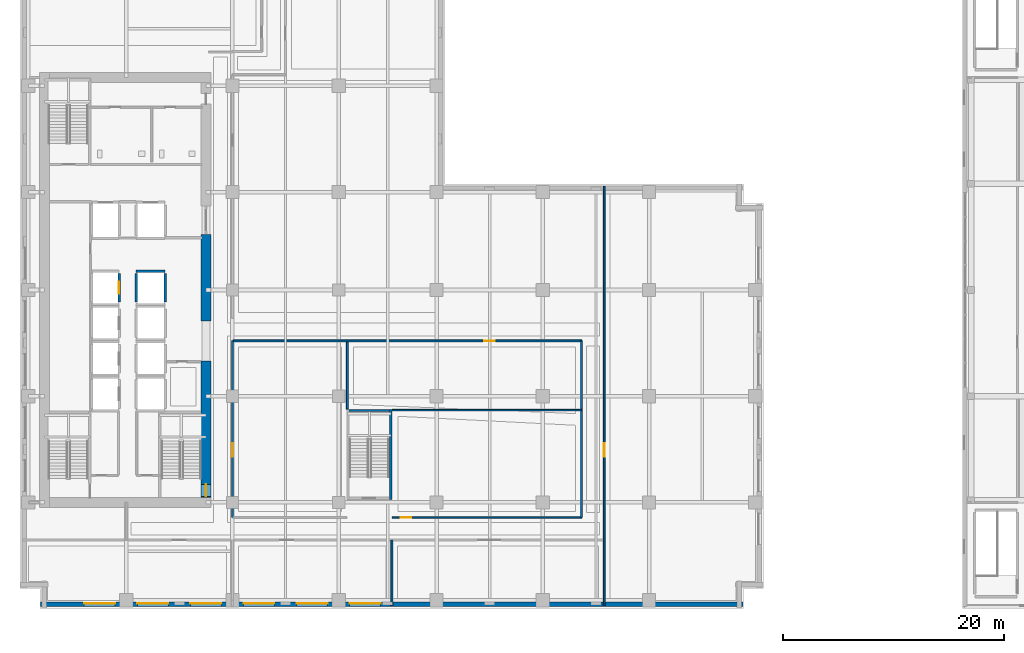
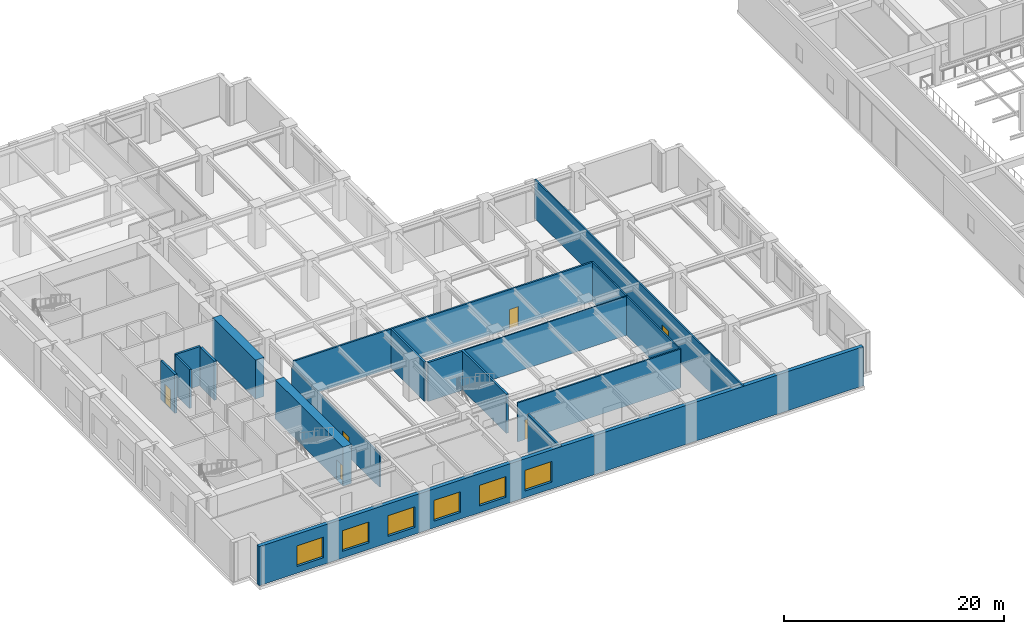
# One storey, part 6 of 21: 17 walls, 6 doors, 6 windows, 12 openings.
"""IFC4 building model written with IfcOpenShell, lengths in metres."""

from ifc_helpers import new_model, si_unit, direction, frame, frame_2d, origin, place, context, subcontext, project, spatial, rectangle, extrude, material, layer, layer_set, type_object, element, fill, save


model = new_model("IFC4")

# Units and contexts
model_context = context("Model", 3, precision=1e-05, world=origin(), true_north=direction((0.0, 1.0)))
body_context = subcontext(model_context, "Body", "Model", "MODEL_VIEW")
ifc_project = project(units=[si_unit("LENGTHUNIT", "METRE"), si_unit("AREAUNIT", "SQUARE_METRE"), si_unit("VOLUMEUNIT", "CUBIC_METRE"), si_unit("PLANEANGLEUNIT", "RADIAN"), si_unit("MASSUNIT", "GRAM", prefix="KILO")], contexts=[model_context])

# Site, building, storey
site_placement = place(None, origin())
site = spatial("IfcSite", under=ifc_project, at=site_placement, CompositionType="ELEMENT")
building_placement = place(site_placement, origin())
building = spatial("IfcBuilding", under=site, at=building_placement, Name="Norrvale University Quadrangle", CompositionType="ELEMENT")
storey_placement = place(building_placement, frame((0.0, 0.0, 19.60009765625)))
storey = spatial("IfcBuildingStorey", under=building, at=storey_placement, Name="L04", CompositionType="ELEMENT", Elevation=19.60009765625)

# Wall, opening, door
ifc_material_1 = material(Name="Concrete C80/95", Category="concrete")
ifc_layer_1 = layer(ifc_material_1, 0.89990234375, Name="Concrete C80/95")
ifc_layer_set_1 = layer_set([ifc_layer_1], Name="Concrete C80/95")
wall_type_1 = type_object("IfcWallType", Name="Wall Core 900", PredefinedType="SHEAR", material=ifc_layer_set_1)
wall_1_placement = place(storey_placement, frame((16.800048828125, 10.050048828125, 0.0), z_axis=(0.0, 0.0, 1.0), x_axis=(0.0, 1.0, 0.0)))
wall_1 = element("IfcWall", 1, at=wall_1_placement, inside=storey, type_object=wall_type_1, Name="Tower Core Shear Wall L04-E1", PredefinedType="SHEAR", context=body_context, shape_type="SweptSolid", body=[
    extrude(rectangle(XDim=12.349853515625, YDim=0.89990234375, at=frame_2d((6.1748046875, 0.0))), origin(), (0.0, 0.0, 1.0), 4.33984375),
])
opening_1_placement = place(wall_1_placement, frame((0.090087890625, 0.0, 0.0)))
opening_1 = element("IfcOpeningElement", 2, at=opening_1_placement, cuts=wall_1, Name="Opening D02", PredefinedType="OPENING", context=body_context, shape_type="SweptSolid", body=[
    extrude(rectangle(XDim=1.10009765625, YDim=2.199951171875, at=frame_2d((0.550048828125, 1.10009765625))), frame((0.0, 0.4619140625, 0.0), z_axis=(0.0, -1.0, 0.0), x_axis=(1.0, 0.0, 0.0)), (0.0, 0.0, 1.0), 0.923828125),
])
ifc_material_2 = material(Name="Hollow Steel 350W Fire Door", Category="steel")
door_type_1 = type_object("IfcDoorType", Name="Door Stair Exit 1100x2200", OperationType="NOTDEFINED", PredefinedType="DOOR", material=ifc_material_2)
door_1_placement = place(opening_1_placement, origin())
door_1 = element("IfcDoor", 3, at=door_1_placement, inside=storey, type_object=door_type_1, Name="Door Stair Exit 1100x2200 DR-L04-ST03", OperationType="SINGLE_SWING_LEFT", OverallHeight=2.199951171875, OverallWidth=1.10009765625, PredefinedType="DOOR", context=body_context, shape_type="SweptSolid", body=[
    extrude(rectangle(XDim=1.10009765625, YDim=2.199951171875, at=frame_2d((0.550048828125, 1.10009765625))), frame((0.0, 0.02490234375, 0.0), z_axis=(0.0, -1.0, 0.0), x_axis=(1.0, 0.0, 0.0)), (0.0, 0.0, 1.0), 0.050048828125),
])
fill(opening_1, door_1)

# Walls
wall_2_placement = place(storey_placement, frame((16.800048828125, 26.0, 0.0), z_axis=(0.0, 0.0, 1.0), x_axis=(0.0, 1.0, 0.0)))
element("IfcWall", 4, at=wall_2_placement, inside=storey, type_object=wall_type_1, Name="Tower Core Shear Wall L04-E2", PredefinedType="SHEAR", context=body_context, shape_type="SweptSolid", body=[
    extrude(rectangle(XDim=7.800048828125, YDim=0.89990234375, at=frame_2d((3.89990234375, 0.0))), origin(), (0.0, 0.0, 1.0), 4.33984375),
])
ifc_material_3 = material(Name="Standard Academic Gypsum Partition")
ifc_layer_2 = layer(ifc_material_3, 0.125, Name="Standard Academic Gypsum Partition")
ifc_layer_set_2 = layer_set([ifc_layer_2], Name="Standard Academic Gypsum Partition")
wall_type_2 = type_object("IfcWallType", Name="Wall Gypsum Academic 125", PredefinedType="PARTITIONING", material=ifc_layer_set_2)
wall_3_placement = place(storey_placement, frame((33.6201171875, 17.93994140625, 0.0), z_axis=(0.0, 0.0, 1.0), x_axis=(1.0, 0.0, 0.0)))
element("IfcWall", 5, at=wall_3_placement, inside=storey, type_object=wall_type_2, Name="Interior Partition WL-L04-ISLH", PredefinedType="PARTITIONING", context=body_context, shape_type="SweptSolid", body=[
    extrude(rectangle(XDim=17.1298828125, YDim=0.125, at=frame_2d((8.56494140625, 0.0))), origin(), (0.0, 0.0, 1.0), 4.33984375),
])

# Wall, opening, door
ifc_material_4 = material(Name="Fire-Rated Gypsum Stud Partition")
ifc_layer_3 = layer(ifc_material_4, 0.14990234375, Name="Fire-Rated Gypsum Stud Partition")
ifc_layer_set_3 = layer_set([ifc_layer_3], Name="Fire-Rated Gypsum Stud Partition")
wall_type_3 = type_object("IfcWallType", Name="Wall Gypsum Corridor 150", PredefinedType="PARTITIONING", material=ifc_layer_set_3)
wall_4_placement = place(storey_placement, frame((52.800048828125, 0.219970703125, 0.0), z_axis=(0.0, 0.0, 1.0), x_axis=(0.0, 1.0, 0.0)))
wall_4 = element("IfcWall", 6, at=wall_4_placement, inside=storey, type_object=wall_type_3, Name="Interior Partition WL-L04-ECW", PredefinedType="PARTITIONING", context=body_context, shape_type="SweptSolid", body=[
    extrude(rectangle(XDim=37.9599609375, YDim=0.14990234375, at=frame_2d((18.97998046875, 0.0))), origin(), (0.0, 0.0, 1.0), 4.33984375),
])
opening_2_placement = place(wall_4_placement, frame((13.530029296875, 0.0, 0.0)))
opening_2 = element("IfcOpeningElement", 7, at=opening_2_placement, cuts=wall_4, Name="Opening D05", PredefinedType="OPENING", context=body_context, shape_type="SweptSolid", body=[
    extrude(rectangle(XDim=1.199951171875, YDim=2.199951171875, at=frame_2d((0.60009765625, 1.10009765625))), frame((0.0, 0.0869140625, 0.0), z_axis=(0.0, -1.0, 0.0), x_axis=(1.0, 0.0, 0.0)), (0.0, 0.0, 1.0), 0.173828125),
])
ifc_material_5 = material(Name="Acoustic Oak Classroom Door", Category="wood")
door_type_2 = type_object("IfcDoorType", Name="Door Classroom 1200x2200", OperationType="NOTDEFINED", PredefinedType="DOOR", material=ifc_material_5)
door_2_placement = place(opening_2_placement, origin())
door_2 = element("IfcDoor", 8, at=door_2_placement, inside=storey, type_object=door_type_2, Name="Door Classroom 1200x2200 DR-L04-E01", OperationType="SINGLE_SWING_RIGHT", OverallHeight=2.199951171875, OverallWidth=1.199951171875, PredefinedType="DOOR", context=body_context, shape_type="SweptSolid", body=[
    extrude(rectangle(XDim=1.199951171875, YDim=2.199951171875, at=frame_2d((0.60009765625, 1.10009765625))), frame((0.0, 0.02490234375, 0.0), z_axis=(0.0, -1.0, 0.0), x_axis=(1.0, 0.0, 0.0)), (0.0, 0.0, 1.0), 0.050048828125),
])
fill(opening_2, door_2)

wall_5_placement = place(storey_placement, frame((19.199951171875, 8.25, 0.0), z_axis=(0.0, 0.0, 1.0), x_axis=(0.0, 1.0, 0.0)))
wall_5 = element("IfcWall", 9, at=wall_5_placement, inside=storey, type_object=wall_type_3, Name="Interior Partition WL-L04-ISLW", PredefinedType="PARTITIONING", context=body_context, shape_type="SweptSolid", body=[
    extrude(rectangle(XDim=15.949951171875, YDim=0.14990234375, at=frame_2d((7.97509765625, 0.0))), origin(), (0.0, 0.0, 1.0), 3.723876953125),
])
opening_3_placement = place(wall_5_placement, frame((5.5, 0.0, 0.0)))
opening_3 = element("IfcOpeningElement", 10, at=opening_3_placement, cuts=wall_5, Name="Opening D05", PredefinedType="OPENING", context=body_context, shape_type="SweptSolid", body=[
    extrude(rectangle(XDim=1.199951171875, YDim=2.199951171875, at=frame_2d((0.60009765625, 1.10009765625))), frame((0.0, 0.0869140625, 0.0), z_axis=(0.0, -1.0, 0.0), x_axis=(1.0, 0.0, 0.0)), (0.0, 0.0, 1.0), 0.173828125),
])
door_3_placement = place(opening_3_placement, origin())
door_3 = element("IfcDoor", 11, at=door_3_placement, inside=storey, type_object=door_type_2, Name="Door Classroom 1200x2200 DR-L04-IW1", OperationType="SINGLE_SWING_LEFT", OverallHeight=2.199951171875, OverallWidth=1.199951171875, PredefinedType="DOOR", context=body_context, shape_type="SweptSolid", body=[
    extrude(rectangle(XDim=1.199951171875, YDim=2.199951171875, at=frame_2d((0.60009765625, 1.10009765625))), frame((0.0, 0.02490234375, 0.0), z_axis=(0.0, -1.0, 0.0), x_axis=(1.0, 0.0, 0.0)), (0.0, 0.0, 1.0), 0.050048828125),
])
fill(opening_3, door_3)

wall_6_placement = place(storey_placement, frame((33.6201171875, 8.25, 0.0), z_axis=(0.0, 0.0, 1.0), x_axis=(1.0, 0.0, 0.0)))
wall_6 = element("IfcWall", 12, at=wall_6_placement, inside=storey, type_object=wall_type_3, Name="Interior Partition WL-L04-ISLS2", PredefinedType="PARTITIONING", context=body_context, shape_type="SweptSolid", body=[
    extrude(rectangle(XDim=17.1298828125, YDim=0.14990234375, at=frame_2d((8.56494140625, 0.0))), origin(), (0.0, 0.0, 1.0), 4.33984375),
])
opening_4_placement = place(wall_6_placement, frame((0.800048828125, 0.0, 0.0)))
opening_4 = element("IfcOpeningElement", 13, at=opening_4_placement, cuts=wall_6, Name="Opening D07", PredefinedType="OPENING", context=body_context, shape_type="SweptSolid", body=[
    extrude(rectangle(XDim=0.949951171875, YDim=2.14990234375, at=frame_2d((0.47509765625, 1.074951171875))), frame((0.0, 0.0869140625, 0.0), z_axis=(0.0, -1.0, 0.0), x_axis=(1.0, 0.0, 0.0)), (0.0, 0.0, 1.0), 0.173828125),
])
ifc_material_6 = material(Name="Solid-Core Maple Door", Category="wood")
door_type_3 = type_object("IfcDoorType", Name="Door Office 950x2150", OperationType="NOTDEFINED", PredefinedType="DOOR", material=ifc_material_6)
door_4_placement = place(opening_4_placement, origin())
door_4 = element("IfcDoor", 14, at=door_4_placement, inside=storey, type_object=door_type_3, Name="Door Office 950x2150 DR-L04-ISE", OperationType="SINGLE_SWING_LEFT", OverallHeight=2.14990234375, OverallWidth=0.949951171875, PredefinedType="DOOR", context=body_context, shape_type="SweptSolid", body=[
    extrude(rectangle(XDim=0.949951171875, YDim=2.14990234375, at=frame_2d((0.47509765625, 1.074951171875))), frame((0.0, 0.02490234375, 0.0), z_axis=(0.0, -1.0, 0.0), x_axis=(1.0, 0.0, 0.0)), (0.0, 0.0, 1.0), 0.050048828125),
])
fill(opening_4, door_4)

# Walls
wall_7_placement = place(storey_placement, frame((50.75, 8.25, 0.0), z_axis=(0.0, 0.0, 1.0), x_axis=(0.0, 1.0, 0.0)))
element("IfcWall", 15, at=wall_7_placement, inside=storey, type_object=wall_type_3, Name="Interior Partition WL-L04-ISLE", PredefinedType="PARTITIONING", context=body_context, shape_type="SweptSolid", body=[
    extrude(rectangle(XDim=15.949951171875, YDim=0.14990234375, at=frame_2d((7.97509765625, 0.0))), origin(), (0.0, 0.0, 1.0), 4.33984375),
])
ifc_material_7 = material(Name="Acoustic Double-Stud Gypsum Partition")
ifc_layer_4 = layer(ifc_material_7, 0.179931640625, Name="Acoustic Double-Stud Gypsum Partition")
ifc_layer_set_4 = layer_set([ifc_layer_4], Name="Acoustic Double-Stud Gypsum Partition")
wall_type_4 = type_object("IfcWallType", Name="Wall Gypsum Lecture 180", PredefinedType="PARTITIONING", material=ifc_layer_set_4)
wall_8_placement = place(storey_placement, frame((33.60009765625, 0.219970703125, 0.0), z_axis=(0.0, 0.0, 1.0), x_axis=(0.0, 1.0, 0.0)))
element("IfcWall", 16, at=wall_8_placement, inside=storey, type_object=wall_type_4, Name="Interior Partition WL-L04-SP02", PredefinedType="PARTITIONING", context=body_context, shape_type="SweptSolid", body=[
    extrude(rectangle(XDim=5.97998046875, YDim=0.179931640625, at=frame_2d((2.989990234375, 0.0))), origin(), (0.0, 0.0, 1.0), 4.33984375),
])
wall_9_placement = place(storey_placement, frame((29.580078125, 18.02490234375, 0.0), z_axis=(0.0, 0.0, 1.0), x_axis=(0.0, 1.0, 0.0)))
element("IfcWall", 17, at=wall_9_placement, inside=storey, type_object=wall_type_4, Name="Interior Partition WL-L04-ISLD", PredefinedType="PARTITIONING", context=body_context, shape_type="SweptSolid", body=[
    extrude(rectangle(XDim=6.080078125, YDim=0.179931640625, at=frame_2d((3.0400390625, 0.0))), origin(), (0.0, 0.0, 1.0), 4.33984375),
])

# Wall, opening, door
wall_10_placement = place(storey_placement, frame((19.280029296875, 24.199951171875, 0.0), z_axis=(0.0, 0.0, 1.0), x_axis=(1.0, 0.0, 0.0)))
wall_10 = element("IfcWall", 18, at=wall_10_placement, inside=storey, type_object=wall_type_4, Name="Interior Partition WL-L04-ISLN", PredefinedType="PARTITIONING", context=body_context, shape_type="SweptSolid", body=[
    extrude(rectangle(XDim=31.469970703125, YDim=0.179931640625, at=frame_2d((15.73486328125, 0.0))), origin(), (0.0, 0.0, 1.0), 4.33984375),
])
opening_5_placement = place(wall_10_placement, frame((22.669921875, 0.0, 0.0)))
opening_5 = element("IfcOpeningElement", 19, at=opening_5_placement, cuts=wall_10, Name="Opening D07", PredefinedType="OPENING", context=body_context, shape_type="SweptSolid", body=[
    extrude(rectangle(XDim=0.949951171875, YDim=2.14990234375, at=frame_2d((0.47509765625, 1.074951171875))), frame((0.0, 0.10205078125, 0.0), z_axis=(0.0, -1.0, 0.0), x_axis=(1.0, 0.0, 0.0)), (0.0, 0.0, 1.0), 0.203857421875),
])
door_5_placement = place(opening_5_placement, origin())
door_5 = element("IfcDoor", 20, at=door_5_placement, inside=storey, type_object=door_type_3, Name="Door Office 950x2150 DR-L04-ILH", OperationType="SINGLE_SWING_RIGHT", OverallHeight=2.14990234375, OverallWidth=0.949951171875, PredefinedType="DOOR", context=body_context, shape_type="SweptSolid", body=[
    extrude(rectangle(XDim=0.949951171875, YDim=2.14990234375, at=frame_2d((0.47509765625, 1.074951171875))), frame((0.0, 0.02490234375, 0.0), z_axis=(0.0, -1.0, 0.0), x_axis=(1.0, 0.0, 0.0)), (0.0, 0.0, 1.0), 0.050048828125),
])
fill(opening_5, door_5)

# Wall, openings, windows
ifc_material_8 = material(Name="Red Manganese Brick Masonry", Category="masonry")
ifc_layer_5 = layer(ifc_material_8, 0.39990234375, Name="Red Manganese Brick Masonry")
ifc_layer_set_5 = layer_set([ifc_layer_5], Name="Red Manganese Brick Masonry")
wall_type_5 = type_object("IfcWallType", Name="Wall Red Brick 400", PredefinedType="SOLIDWALL", material=ifc_layer_set_5)
wall_11_placement = place(storey_placement, frame((1.840087890625, 0.3798828125, 0.0), z_axis=(0.0, 0.0, 1.0), x_axis=(1.0, 0.0, 0.0)))
wall_11 = element("IfcWall", 21, at=wall_11_placement, inside=storey, type_object=wall_type_5, Name="Exterior Brick Facade Wall L04-01.1", PredefinedType="SOLIDWALL", context=body_context, shape_type="SweptSolid", body=[
    extrude(rectangle(XDim=63.52001953125, YDim=0.39990234375, at=frame_2d((31.760009765625, 0.0))), origin(), (0.0, 0.0, 1.0), 4.33984375),
])
opening_6_placement = place(wall_11_placement, frame((3.9599609375, 0.0, 0.75)))
opening_6 = element("IfcOpeningElement", 22, at=opening_6_placement, cuts=wall_11, Name="Opening W05", PredefinedType="OPENING", context=body_context, shape_type="SweptSolid", body=[
    extrude(rectangle(XDim=2.800048828125, YDim=2.300048828125, at=frame_2d((1.39990234375, 1.14990234375))), frame((0.0, 0.2119140625, 0.0), z_axis=(0.0, -1.0, 0.0), x_axis=(1.0, 0.0, 0.0)), (0.0, 0.0, 1.0), 0.423828125),
])
opening_7_placement = place(wall_11_placement, frame((8.760009765625, 0.0, 0.75)))
opening_7 = element("IfcOpeningElement", 23, at=opening_7_placement, cuts=wall_11, Name="Opening W05", PredefinedType="OPENING", context=body_context, shape_type="SweptSolid", body=[
    extrude(rectangle(XDim=2.800048828125, YDim=2.300048828125, at=frame_2d((1.39990234375, 1.14990234375))), frame((0.0, 0.2119140625, 0.0), z_axis=(0.0, -1.0, 0.0), x_axis=(1.0, 0.0, 0.0)), (0.0, 0.0, 1.0), 0.423828125),
])
opening_8_placement = place(wall_11_placement, frame((13.56005859375, 0.0, 0.75)))
opening_8 = element("IfcOpeningElement", 24, at=opening_8_placement, cuts=wall_11, Name="Opening W05", PredefinedType="OPENING", context=body_context, shape_type="SweptSolid", body=[
    extrude(rectangle(XDim=2.800048828125, YDim=2.300048828125, at=frame_2d((1.39990234375, 1.14990234375))), frame((0.0, 0.2119140625, 0.0), z_axis=(0.0, -1.0, 0.0), x_axis=(1.0, 0.0, 0.0)), (0.0, 0.0, 1.0), 0.423828125),
])
opening_9_placement = place(wall_11_placement, frame((18.360107421875, 0.0, 0.75)))
opening_9 = element("IfcOpeningElement", 25, at=opening_9_placement, cuts=wall_11, Name="Opening W05", PredefinedType="OPENING", context=body_context, shape_type="SweptSolid", body=[
    extrude(rectangle(XDim=2.800048828125, YDim=2.300048828125, at=frame_2d((1.39990234375, 1.14990234375))), frame((0.0, 0.2119140625, 0.0), z_axis=(0.0, -1.0, 0.0), x_axis=(1.0, 0.0, 0.0)), (0.0, 0.0, 1.0), 0.423828125),
])
opening_10_placement = place(wall_11_placement, frame((23.159912109375, 0.0, 0.75)))
opening_10 = element("IfcOpeningElement", 26, at=opening_10_placement, cuts=wall_11, Name="Opening W05", PredefinedType="OPENING", context=body_context, shape_type="SweptSolid", body=[
    extrude(rectangle(XDim=2.800048828125, YDim=2.300048828125, at=frame_2d((1.39990234375, 1.14990234375))), frame((0.0, 0.2119140625, 0.0), z_axis=(0.0, -1.0, 0.0), x_axis=(1.0, 0.0, 0.0)), (0.0, 0.0, 1.0), 0.423828125),
])
opening_11_placement = place(wall_11_placement, frame((27.9599609375, 0.0, 0.75)))
opening_11 = element("IfcOpeningElement", 27, at=opening_11_placement, cuts=wall_11, Name="Opening W05", PredefinedType="OPENING", context=body_context, shape_type="SweptSolid", body=[
    extrude(rectangle(XDim=2.800048828125, YDim=2.300048828125, at=frame_2d((1.39990234375, 1.14990234375))), frame((0.0, 0.2119140625, 0.0), z_axis=(0.0, -1.0, 0.0), x_axis=(1.0, 0.0, 0.0)), (0.0, 0.0, 1.0), 0.423828125),
])
ifc_material_9 = material(Name="Bird-Friendly Fritted Triple Glazing", Category="glass")
window_type = type_object("IfcWindowType", Name="Window Podium 2800x2800", PartitioningType="TRIPLE_PANEL_VERTICAL", PredefinedType="WINDOW", material=ifc_material_9)
window_1_placement = place(opening_6_placement, origin())
window_1 = element("IfcWindow", 28, at=window_1_placement, inside=storey, type_object=window_type, Name="Window Podium 2800x2800 WIN-L04-E01-1-01", OverallHeight=2.300048828125, OverallWidth=2.800048828125, PartitioningType="TRIPLE_PANEL_VERTICAL", PredefinedType="WINDOW", context=body_context, shape_type="SweptSolid", body=[
    extrude(rectangle(XDim=2.800048828125, YDim=2.300048828125, at=frame_2d((1.39990234375, 1.14990234375))), frame((0.0, 0.110107421875, 0.0), z_axis=(0.0, -1.0, 0.0), x_axis=(1.0, 0.0, 0.0)), (0.0, 0.0, 1.0), 0.06005859375),
])
fill(opening_6, window_1)
window_2_placement = place(opening_7_placement, origin())
window_2 = element("IfcWindow", 29, at=window_2_placement, inside=storey, type_object=window_type, Name="Window Podium 2800x2800 WIN-L04-E01-1-02", OverallHeight=2.300048828125, OverallWidth=2.800048828125, PartitioningType="TRIPLE_PANEL_VERTICAL", PredefinedType="WINDOW", context=body_context, shape_type="SweptSolid", body=[
    extrude(rectangle(XDim=2.800048828125, YDim=2.300048828125, at=frame_2d((1.39990234375, 1.14990234375))), frame((0.0, 0.110107421875, 0.0), z_axis=(0.0, -1.0, 0.0), x_axis=(1.0, 0.0, 0.0)), (0.0, 0.0, 1.0), 0.06005859375),
])
fill(opening_7, window_2)
window_3_placement = place(opening_8_placement, origin())
window_3 = element("IfcWindow", 30, at=window_3_placement, inside=storey, type_object=window_type, Name="Window Podium 2800x2800 WIN-L04-E01-1-03", OverallHeight=2.300048828125, OverallWidth=2.800048828125, PartitioningType="TRIPLE_PANEL_VERTICAL", PredefinedType="WINDOW", context=body_context, shape_type="SweptSolid", body=[
    extrude(rectangle(XDim=2.800048828125, YDim=2.300048828125, at=frame_2d((1.39990234375, 1.14990234375))), frame((0.0, 0.110107421875, 0.0), z_axis=(0.0, -1.0, 0.0), x_axis=(1.0, 0.0, 0.0)), (0.0, 0.0, 1.0), 0.06005859375),
])
fill(opening_8, window_3)
window_4_placement = place(opening_9_placement, origin())
window_4 = element("IfcWindow", 31, at=window_4_placement, inside=storey, type_object=window_type, Name="Window Podium 2800x2800 WIN-L04-E01-1-04", OverallHeight=2.300048828125, OverallWidth=2.800048828125, PartitioningType="TRIPLE_PANEL_VERTICAL", PredefinedType="WINDOW", context=body_context, shape_type="SweptSolid", body=[
    extrude(rectangle(XDim=2.800048828125, YDim=2.300048828125, at=frame_2d((1.39990234375, 1.14990234375))), frame((0.0, 0.110107421875, 0.0), z_axis=(0.0, -1.0, 0.0), x_axis=(1.0, 0.0, 0.0)), (0.0, 0.0, 1.0), 0.06005859375),
])
fill(opening_9, window_4)
window_5_placement = place(opening_10_placement, origin())
window_5 = element("IfcWindow", 32, at=window_5_placement, inside=storey, type_object=window_type, Name="Window Podium 2800x2800 WIN-L04-E01-1-05", OverallHeight=2.300048828125, OverallWidth=2.800048828125, PartitioningType="TRIPLE_PANEL_VERTICAL", PredefinedType="WINDOW", context=body_context, shape_type="SweptSolid", body=[
    extrude(rectangle(XDim=2.800048828125, YDim=2.300048828125, at=frame_2d((1.39990234375, 1.14990234375))), frame((0.0, 0.110107421875, 0.0), z_axis=(0.0, -1.0, 0.0), x_axis=(1.0, 0.0, 0.0)), (0.0, 0.0, 1.0), 0.06005859375),
])
fill(opening_10, window_5)
window_6_placement = place(opening_11_placement, origin())
window_6 = element("IfcWindow", 33, at=window_6_placement, inside=storey, type_object=window_type, Name="Window Podium 2800x2800 WIN-L04-E01-1-06", OverallHeight=2.300048828125, OverallWidth=2.800048828125, PartitioningType="TRIPLE_PANEL_VERTICAL", PredefinedType="WINDOW", context=body_context, shape_type="SweptSolid", body=[
    extrude(rectangle(XDim=2.800048828125, YDim=2.300048828125, at=frame_2d((1.39990234375, 1.14990234375))), frame((0.0, 0.110107421875, 0.0), z_axis=(0.0, -1.0, 0.0), x_axis=(1.0, 0.0, 0.0)), (0.0, 0.0, 1.0), 0.06005859375),
])
fill(opening_11, window_6)

# Walls
ifc_material_10 = material(Name="Concrete Blockwork 20 MPa Fire Shaft", Category="masonry")
ifc_layer_6 = layer(ifc_material_10, 0.219970703125, Name="Concrete Blockwork 20 MPa Fire Shaft")
ifc_layer_set_6 = layer_set([ifc_layer_6], Name="Concrete Blockwork 20 MPa Fire Shaft")
wall_type_6 = type_object("IfcWallType", Name="Wall Shaft 220", PredefinedType="SOLIDWALL", material=ifc_layer_set_6)
wall_12_placement = place(storey_placement, frame((33.510009765625, 9.8798828125, 0.0), z_axis=(0.0, 0.0, 1.0), x_axis=(0.0, 1.0, 0.0)))
element("IfcWall", 34, at=wall_12_placement, inside=storey, type_object=wall_type_6, Name="Stair ST-04 East Shaft Wall L04", PredefinedType="SOLIDWALL", context=body_context, shape_type="SweptSolid", body=[
    extrude(rectangle(XDim=8.14013671875, YDim=0.219970703125, at=frame_2d((4.070068359375, 0.0))), origin(), (0.0, 0.0, 1.0), 4.33984375),
])
wall_13_placement = place(storey_placement, frame((29.75, 17.909912109375, 0.0), z_axis=(0.0, 0.0, 1.0), x_axis=(1.0, 0.0, 0.0)))
element("IfcWall", 35, at=wall_13_placement, inside=storey, type_object=wall_type_6, Name="Stair ST-04 North Shaft Wall L04", PredefinedType="SOLIDWALL", context=body_context, shape_type="SweptSolid", body=[
    extrude(rectangle(XDim=3.64990234375, YDim=0.219970703125, at=frame_2d((1.824951171875, 0.0))), origin(), (0.0, 0.0, 1.0), 4.33984375),
])

# Wall, opening, door
wall_14_placement = place(storey_placement, frame((8.9599609375, 27.7099609375, 0.0), z_axis=(0.0, 0.0, 1.0), x_axis=(0.0, 1.0, 0.0)))
wall_14 = element("IfcWall", 36, at=wall_14_placement, inside=storey, type_object=wall_type_6, Name="Hoistway PL-04 East Wall L04", PredefinedType="SOLIDWALL", context=body_context, shape_type="SweptSolid", body=[
    extrude(rectangle(XDim=2.580078125, YDim=0.219970703125, at=frame_2d((1.2900390625, 0.0))), origin(), (0.0, 0.0, 1.0), 4.33984375),
])
opening_12_placement = place(wall_14_placement, frame((0.739990234375, 0.0, 0.0)))
opening_12 = element("IfcOpeningElement", 37, at=opening_12_placement, cuts=wall_14, Name="Opening LD1", PredefinedType="OPENING", context=body_context, shape_type="SweptSolid", body=[
    extrude(rectangle(XDim=1.10009765625, YDim=2.199951171875, at=frame_2d((0.550048828125, 1.10009765625))), frame((0.0, 0.1220703125, 0.0), z_axis=(0.0, -1.0, 0.0), x_axis=(1.0, 0.0, 0.0)), (0.0, 0.0, 1.0), 0.243896484375),
])
ifc_material_11 = material(Name="Stainless Steel 316L Lift Landing Door", Category="steel")
door_type_4 = type_object("IfcDoorType", Name="Door Lift Landing 1100x2200", OperationType="DOUBLE_DOOR_SLIDING", PredefinedType="DOOR", material=ifc_material_11)
door_6_placement = place(opening_12_placement, origin())
door_6 = element("IfcDoor", 38, at=door_6_placement, inside=storey, type_object=door_type_4, Name="Elevator Landing Door DR-L04-PL-04", OperationType="DOUBLE_DOOR_SLIDING", OverallHeight=2.199951171875, OverallWidth=1.10009765625, PredefinedType="DOOR", context=body_context, shape_type="SweptSolid", body=[
    extrude(rectangle(XDim=1.10009765625, YDim=2.199951171875, at=frame_2d((0.550048828125, 1.10009765625))), frame((0.0, 0.02490234375, 0.0), z_axis=(0.0, -1.0, 0.0), x_axis=(1.0, 0.0, 0.0)), (0.0, 0.0, 1.0), 0.050048828125),
])
fill(opening_12, door_6)

# Walls
for number, where, z_axis, x_axis, name in (
    (39, (10.489990234375, 27.7099609375, 0.0), (0.0, 0.0, 1.0), (0.0, 1.0, 0.0), "Hoistway PL-08 West Wall L04"),
    (40, (13.110107421875, 27.7099609375, 0.0), (0.0, 0.0, 1.0), (0.0, 1.0, 0.0), "Hoistway PL-08 East Wall L04"),
):
    element("IfcWall", number, at=place(storey_placement, frame(where, z_axis=z_axis, x_axis=x_axis)), inside=storey, type_object=wall_type_6, Name=name, PredefinedType="SOLIDWALL", context=body_context, shape_type="SweptSolid", body=[
        extrude(rectangle(XDim=2.580078125, YDim=0.219970703125, at=frame_2d((1.2900390625, 0.0))), origin(), (0.0, 0.0, 1.0), 4.33984375),
    ])
wall_15_placement = place(storey_placement, frame((10.489990234375, 30.510009765625, 0.0), z_axis=(0.0, 0.0, 1.0), x_axis=(1.0, 0.0, 0.0)))
element("IfcWall", 41, at=wall_15_placement, inside=storey, type_object=wall_type_6, Name="Hoistway PL-08 North Wall L04", PredefinedType="SOLIDWALL", context=body_context, shape_type="SweptSolid", body=[
    extrude(rectangle(XDim=2.6201171875, YDim=0.219970703125, at=frame_2d((1.31005859375, 0.0))), origin(), (0.0, 0.0, 1.0), 4.33984375),
])

save(model, "model.ifc")
